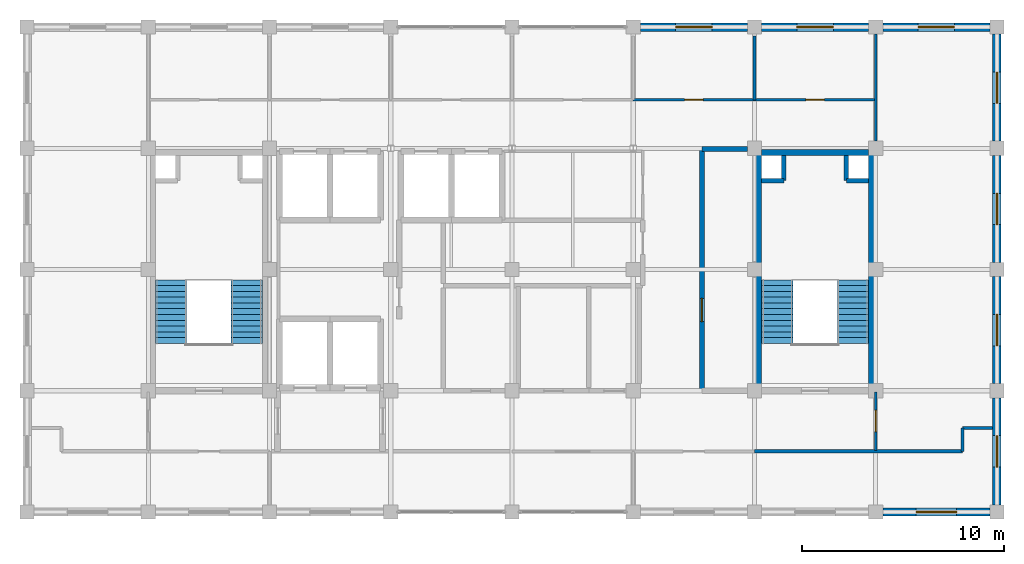
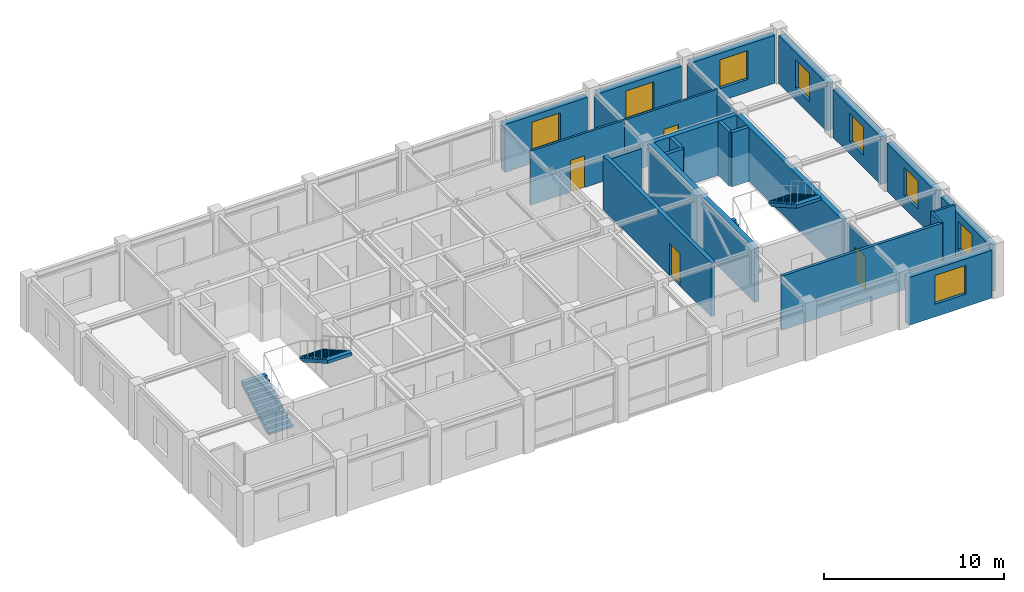
# One storey, part 10 of 11: 25 walls, 8 windows, 4 doors, 4 stair flights, 12 openings, 2 elements without a shape of their own.
"""IFC4 building model written with IfcOpenShell, lengths in metres."""

from ifc_helpers import new_model, si_unit, direction, frame, frame_2d, origin, place, context, subcontext, project, spatial, polyline, rectangle, outline, extrude, material, layer, layer_set, type_object, element, fill, aggregate, save


model = new_model("IFC4")

# Units and contexts
model_context = context("Model", 3, precision=1e-05, world=origin(), true_north=direction((0.0, 1.0)))
body_context = subcontext(model_context, "Body", "Model", "MODEL_VIEW")
ifc_project = project(units=[si_unit("LENGTHUNIT", "METRE"), si_unit("AREAUNIT", "SQUARE_METRE"), si_unit("VOLUMEUNIT", "CUBIC_METRE"), si_unit("PLANEANGLEUNIT", "RADIAN"), si_unit("MASSUNIT", "GRAM", prefix="KILO")], contexts=[model_context])

# Site, building, storey
site_placement = place(None, origin())
site = spatial("IfcSite", under=ifc_project, at=site_placement, CompositionType="ELEMENT")
building_placement = place(site_placement, origin())
building = spatial("IfcBuilding", under=site, at=building_placement, Name="Zlatovratsky Civic Hall", CompositionType="ELEMENT")
storey_placement = place(building_placement, frame((0.0, 0.0, 63.89990234375)))
storey = spatial("IfcBuildingStorey", under=building, at=storey_placement, Name="L16", CompositionType="ELEMENT", Elevation=63.89990234375)

# Wall
ifc_material_1 = material(Name="Acoustic ceramic blockwork", Category="masonry")
ifc_layer_1 = layer(ifc_material_1, 0.179931640625)
ifc_layer_set_1 = layer_set([ifc_layer_1], Name="Acoustic ceramic blockwork")
wall_type_1 = type_object("IfcWallType", Name="Wall_AcousticChamberPartition_180", PredefinedType="PARTITIONING", material=ifc_layer_set_1)
wall_1_placement = place(storey_placement, frame((96.0, 81.0, 0.0), z_axis=(0.0, 0.0, 1.0), x_axis=(1.0, 0.0, 0.0)))
element("IfcWall", 1, at=wall_1_placement, inside=storey, type_object=wall_type_1, Name="WL-6773", PredefinedType="PARTITIONING", context=body_context, shape_type="SweptSolid", body=[
    extrude(rectangle(XDim=10.300048828125, YDim=0.179931640625, at=frame_2d((5.14990234375, 0.0))), origin(), (0.0, 0.0, 1.0), 3.66015625),
])

# Wall, opening, door
ifc_layer_2 = layer(ifc_material_1, 0.260009765625)
ifc_layer_set_2 = layer_set([ifc_layer_2], Name="Acoustic ceramic blockwork")
wall_type_2 = type_object("IfcWallType", Name="Wall_ArchiveCompartment_260", PredefinedType="PARTITIONING", material=ifc_layer_set_2)
wall_2_placement = place(storey_placement, frame((93.39990234375, 84.0, 0.0), z_axis=(0.0, 0.0, 1.0), x_axis=(0.0, 1.0, 0.0)))
wall_2 = element("IfcWall", 2, at=wall_2_placement, inside=storey, type_object=wall_type_2, Name="WL-6733", PredefinedType="PARTITIONING", context=body_context, shape_type="SweptSolid", body=[
    extrude(rectangle(XDim=11.9599609375, YDim=0.260009765625, at=frame_2d((5.97998046875, 0.0))), origin(), (0.0, 0.0, 1.0), 3.66015625),
])
opening_1_placement = place(wall_2_placement, frame((3.425048828125, 0.0, 0.0)))
opening_1 = element("IfcOpeningElement", 3, at=opening_1_placement, cuts=wall_2, Name="Opening D-31", PredefinedType="OPENING", context=body_context, shape_type="SweptSolid", body=[
    extrude(rectangle(XDim=1.14990234375, YDim=2.199951171875, at=frame_2d((0.574951171875, 1.10009765625))), frame((0.0, 0.14501953125, 0.0), z_axis=(0.0, -1.0, 0.0), x_axis=(1.0, 0.0, 0.0)), (0.0, 0.0, 1.0), 0.289794921875),
])
ifc_material_2 = material(Name="Insulated painted fire-rated steel leaf", Category="steel")
door_type_1 = type_object("IfcDoorType", Name="Door_RecordsVault_1150x2200", OperationType="NOTDEFINED", PredefinedType="DOOR", material=ifc_material_2)
door_1_placement = place(opening_1_placement, origin())
door_1 = element("IfcDoor", 4, at=door_1_placement, inside=storey, type_object=door_type_1, Name="DR-5535", OperationType="SINGLE_SWING_LEFT", OverallHeight=2.199951171875, OverallWidth=1.14990234375, PredefinedType="DOOR", context=body_context, shape_type="SweptSolid", body=[
    extrude(rectangle(XDim=1.14990234375, YDim=2.199951171875, at=frame_2d((0.574951171875, 1.10009765625))), frame((0.0, 0.02490234375, 0.0), z_axis=(0.0, -1.0, 0.0), x_axis=(1.0, 0.0, 0.0)), (0.0, 0.0, 1.0), 0.050048828125),
])
fill(opening_1, door_1)

# Wall
wall_3_placement = place(storey_placement, frame((93.39990234375, 95.9599609375, 0.0), z_axis=(0.0, 0.0, 1.0), x_axis=(1.0, 0.0, 0.0)))
element("IfcWall", 5, at=wall_3_placement, inside=storey, type_object=wall_type_2, Name="WL-6735", PredefinedType="PARTITIONING", context=body_context, shape_type="SweptSolid", body=[
    extrude(rectangle(XDim=2.25, YDim=0.260009765625, at=frame_2d((1.125, 0.0))), origin(), (0.0, 0.0, 1.0), 3.369140625),
])

# Wall, opening, door
ifc_material_3 = material(Name="Fire-rated gypsum board framing", Category="gypsum")
ifc_layer_3 = layer(ifc_material_3, 0.139892578125)
ifc_layer_set_3 = layer_set([ifc_layer_3], Name="Fire-rated gypsum board framing")
wall_type_3 = type_object("IfcWallType", Name="Wall_OfficePartition_140", PredefinedType="PARTITIONING", material=ifc_layer_set_3)
wall_4_placement = place(storey_placement, frame((102.0, 81.050048828125, 0.0), z_axis=(0.0, 0.0, 1.0), x_axis=(0.0, 1.0, 0.0)))
wall_4 = element("IfcWall", 6, at=wall_4_placement, inside=storey, type_object=wall_type_3, Name="WL-6746", PredefinedType="PARTITIONING", context=body_context, shape_type="SweptSolid", body=[
    extrude(rectangle(XDim=2.89990234375, YDim=0.139892578125, at=frame_2d((1.449951171875, 0.0))), origin(), (0.0, 0.0, 1.0), 3.369140625),
])
opening_2_placement = place(wall_4_placement, frame((0.925048828125, 0.0, 0.0)))
opening_2 = element("IfcOpeningElement", 7, at=opening_2_placement, cuts=wall_4, Name="Opening D-24", PredefinedType="OPENING", context=body_context, shape_type="SweptSolid", body=[
    extrude(rectangle(XDim=1.050048828125, YDim=2.25, at=frame_2d((0.52490234375, 1.125))), frame((0.0, 0.0849609375, 0.0), z_axis=(0.0, -1.0, 0.0), x_axis=(1.0, 0.0, 0.0)), (0.0, 0.0, 1.0), 0.169677734375),
])
ifc_material_4 = material(Name="Solid oak joinery in steel frame", Category="steel")
door_type_2 = type_object("IfcDoorType", Name="Door_DirectorateOffice_1050x2250", OperationType="NOTDEFINED", PredefinedType="DOOR", material=ifc_material_4)
door_2_placement = place(opening_2_placement, origin())
door_2 = element("IfcDoor", 8, at=door_2_placement, inside=storey, type_object=door_type_2, Name="DR-5543", OperationType="SINGLE_SWING_RIGHT", OverallHeight=2.25, OverallWidth=1.050048828125, PredefinedType="DOOR", context=body_context, shape_type="SweptSolid", body=[
    extrude(rectangle(XDim=1.050048828125, YDim=2.25, at=frame_2d((0.52490234375, 1.125))), frame((0.0, 0.02490234375, 0.0), z_axis=(0.0, -1.0, 0.0), x_axis=(1.0, 0.0, 0.0)), (0.0, 0.0, 1.0), 0.050048828125),
])
fill(opening_2, door_2)

wall_5_placement = place(storey_placement, frame((90.0, 98.39990234375, 0.0), z_axis=(0.0, 0.0, 1.0), x_axis=(1.0, 0.0, 0.0)))
wall_5 = element("IfcWall", 9, at=wall_5_placement, inside=storey, type_object=wall_type_3, Name="WL-6756", PredefinedType="PARTITIONING", context=body_context, shape_type="SweptSolid", body=[
    extrude(rectangle(XDim=6.0, YDim=0.139892578125, at=frame_2d((3.0, 0.0))), origin(), (0.0, 0.0, 1.0), 3.66015625),
])
opening_3_placement = place(wall_5_placement, frame((2.5400390625, 0.0, 0.0)))
opening_3 = element("IfcOpeningElement", 10, at=opening_3_placement, cuts=wall_5, Name="Opening D-23", PredefinedType="OPENING", context=body_context, shape_type="SweptSolid", body=[
    extrude(rectangle(XDim=0.919921875, YDim=2.14990234375, at=frame_2d((0.4599609375, 1.074951171875))), frame((0.0, 0.0849609375, 0.0), z_axis=(0.0, -1.0, 0.0), x_axis=(1.0, 0.0, 0.0)), (0.0, 0.0, 1.0), 0.169677734375),
])
door_type_3 = type_object("IfcDoorType", Name="Door_OfficeStandard_920x2150", OperationType="NOTDEFINED", PredefinedType="DOOR", material=ifc_material_4)
door_3_placement = place(opening_3_placement, origin())
door_3 = element("IfcDoor", 11, at=door_3_placement, inside=storey, type_object=door_type_3, Name="DR-5553", OperationType="SINGLE_SWING_RIGHT", OverallHeight=2.14990234375, OverallWidth=0.919921875, PredefinedType="DOOR", context=body_context, shape_type="SweptSolid", body=[
    extrude(rectangle(XDim=0.919921875, YDim=2.14990234375, at=frame_2d((0.4599609375, 1.074951171875))), frame((0.0, 0.02490234375, 0.0), z_axis=(0.0, -1.0, 0.0), x_axis=(1.0, 0.0, 0.0)), (0.0, 0.0, 1.0), 0.050048828125),
])
fill(opening_3, door_3)

wall_6_placement = place(storey_placement, frame((96.0, 98.39990234375, 0.0), z_axis=(0.0, 0.0, 1.0), x_axis=(1.0, 0.0, 0.0)))
wall_6 = element("IfcWall", 12, at=wall_6_placement, inside=storey, type_object=wall_type_3, Name="WL-6757", PredefinedType="PARTITIONING", context=body_context, shape_type="SweptSolid", body=[
    extrude(rectangle(XDim=6.0, YDim=0.139892578125, at=frame_2d((3.0, 0.0))), origin(), (0.0, 0.0, 1.0), 3.66015625),
])
opening_4_placement = place(wall_6_placement, frame((2.5400390625, 0.0, 0.0)))
opening_4 = element("IfcOpeningElement", 13, at=opening_4_placement, cuts=wall_6, Name="Opening D-23", PredefinedType="OPENING", context=body_context, shape_type="SweptSolid", body=[
    extrude(rectangle(XDim=0.919921875, YDim=2.14990234375, at=frame_2d((0.4599609375, 1.074951171875))), frame((0.0, 0.0849609375, 0.0), z_axis=(0.0, -1.0, 0.0), x_axis=(1.0, 0.0, 0.0)), (0.0, 0.0, 1.0), 0.169677734375),
])
door_4_placement = place(opening_4_placement, origin())
door_4 = element("IfcDoor", 14, at=door_4_placement, inside=storey, type_object=door_type_3, Name="DR-5554", OperationType="SINGLE_SWING_RIGHT", OverallHeight=2.14990234375, OverallWidth=0.919921875, PredefinedType="DOOR", context=body_context, shape_type="SweptSolid", body=[
    extrude(rectangle(XDim=0.919921875, YDim=2.14990234375, at=frame_2d((0.4599609375, 1.074951171875))), frame((0.0, 0.02490234375, 0.0), z_axis=(0.0, -1.0, 0.0), x_axis=(1.0, 0.0, 0.0)), (0.0, 0.0, 1.0), 0.050048828125),
])
fill(opening_4, door_4)

# Walls
wall_7_placement = place(storey_placement, frame((96.0, 98.39990234375, 0.0), z_axis=(0.0, 0.0, 1.0), x_axis=(0.0, 1.0, 0.0)))
element("IfcWall", 15, at=wall_7_placement, inside=storey, type_object=wall_type_3, Name="WL-6766", PredefinedType="PARTITIONING", context=body_context, shape_type="SweptSolid", body=[
    extrude(rectangle(XDim=3.150146484375, YDim=0.139892578125, at=frame_2d((1.5751953125, 0.0))), origin(), (0.0, 0.0, 1.0), 3.369140625),
])
wall_8_placement = place(storey_placement, frame((106.300048828125, 81.0, 0.0), z_axis=(0.0, 0.0, 1.0), x_axis=(0.0, 1.0, 0.0)))
element("IfcWall", 16, at=wall_8_placement, inside=storey, type_object=wall_type_3, Name="WL-6776", PredefinedType="PARTITIONING", context=body_context, shape_type="SweptSolid", body=[
    extrude(rectangle(XDim=1.14990234375, YDim=0.139892578125, at=frame_2d((0.574951171875, 0.0))), origin(), (0.0, 0.0, 1.0), 3.66015625),
])
wall_9_placement = place(storey_placement, frame((106.300048828125, 82.14990234375, 0.0), z_axis=(0.0, 0.0, 1.0), x_axis=(1.0, 0.0, 0.0)))
element("IfcWall", 17, at=wall_9_placement, inside=storey, type_object=wall_type_3, Name="WL-6777", PredefinedType="PARTITIONING", context=body_context, shape_type="SweptSolid", body=[
    extrude(rectangle(XDim=1.489990234375, YDim=0.139892578125, at=frame_2d((0.7451171875, 0.0))), origin(), (0.0, 0.0, 1.0), 3.66015625),
])
wall_10_placement = place(storey_placement, frame((102.0, 96.35009765625, 0.0), z_axis=(0.0, 0.0, 1.0), x_axis=(0.0, 1.0, 0.0)))
element("IfcWall", 18, at=wall_10_placement, inside=storey, type_object=wall_type_3, Name="WL-6779", PredefinedType="PARTITIONING", context=body_context, shape_type="SweptSolid", body=[
    extrude(rectangle(XDim=5.2998046875, YDim=0.139892578125, at=frame_2d((2.64990234375, 0.0))), origin(), (0.0, 0.0, 1.0), 3.369140625),
])
ifc_layer_4 = layer(ifc_material_1, 0.219970703125)
ifc_layer_set_4 = layer_set([ifc_layer_4], Name="Acoustic ceramic blockwork")
wall_type_4 = type_object("IfcWallType", Name="Wall_SanitaryWetCore_220", PredefinedType="PARTITIONING", material=ifc_layer_set_4)
wall_11_placement = place(storey_placement, frame((97.449951171875, 94.39990234375, 0.0), z_axis=(0.0, 0.0, 1.0), x_axis=(0.0, 1.0, 0.0)))
element("IfcWall", 19, at=wall_11_placement, inside=storey, type_object=wall_type_4, Name="WL-5291", PredefinedType="PARTITIONING", context=body_context, shape_type="SweptSolid", body=[
    extrude(rectangle(XDim=1.25, YDim=0.219970703125, at=frame_2d((0.625, 0.0))), origin(), (0.0, 0.0, 1.0), 3.66015625),
])
wall_12_placement = place(storey_placement, frame((96.35009765625, 94.39990234375, 0.0), z_axis=(0.0, 0.0, 1.0), x_axis=(1.0, 0.0, 0.0)))
element("IfcWall", 20, at=wall_12_placement, inside=storey, type_object=wall_type_4, Name="WL-5292", PredefinedType="PARTITIONING", context=body_context, shape_type="SweptSolid", body=[
    extrude(rectangle(XDim=1.099853515625, YDim=0.219970703125, at=frame_2d((0.5498046875, 0.0))), origin(), (0.0, 0.0, 1.0), 3.66015625),
])
wall_13_placement = place(storey_placement, frame((100.550048828125, 94.39990234375, 0.0), z_axis=(0.0, 0.0, 1.0), x_axis=(0.0, 1.0, 0.0)))
element("IfcWall", 21, at=wall_13_placement, inside=storey, type_object=wall_type_4, Name="WL-5293", PredefinedType="PARTITIONING", context=body_context, shape_type="SweptSolid", body=[
    extrude(rectangle(XDim=1.25, YDim=0.219970703125, at=frame_2d((0.625, 0.0))), origin(), (0.0, 0.0, 1.0), 3.66015625),
])
wall_14_placement = place(storey_placement, frame((100.550048828125, 94.39990234375, 0.0), z_axis=(0.0, 0.0, 1.0), x_axis=(1.0, 0.0, 0.0)))
element("IfcWall", 22, at=wall_14_placement, inside=storey, type_object=wall_type_4, Name="WL-5294", PredefinedType="PARTITIONING", context=body_context, shape_type="SweptSolid", body=[
    extrude(rectangle(XDim=1.099853515625, YDim=0.219970703125, at=frame_2d((0.5498046875, 0.0))), origin(), (0.0, 0.0, 1.0), 3.66015625),
])
ifc_material_5 = material(Name="Concrete C35/45 (B40)", Category="concrete")
ifc_layer_5 = layer(ifc_material_5, 0.300048828125)
ifc_layer_set_5 = layer_set([ifc_layer_5], Name="Concrete C35/45 (B40)")
wall_type_5 = type_object("IfcWallType", Name="Wall_StairAndLiftShaft_300", PredefinedType="SHEAR", material=ifc_layer_set_5)
wall_15_placement = place(storey_placement, frame((96.35009765625, 95.800048828125, 0.0), z_axis=(0.0, 0.0, 1.0), x_axis=(1.0, 0.0, 0.0)))
element("IfcWall", 23, at=wall_15_placement, inside=storey, type_object=wall_type_5, Name="WL-5288", PredefinedType="SHEAR", context=body_context, shape_type="SweptSolid", body=[
    extrude(rectangle(XDim=5.2998046875, YDim=0.300048828125, at=frame_2d((2.64990234375, 0.0))), origin(), (0.0, 0.0, 1.0), 3.66015625),
])
for number, where, z_axis, x_axis, name in (
    (24, (96.199951171875, 84.0, 0.0), (0.0, 0.0, 1.0), (0.0, 1.0, 0.0), "WL-5289"),
    (25, (101.800048828125, 84.0, 0.0), (0.0, 0.0, 1.0), (0.0, 1.0, 0.0), "WL-5290"),
):
    element("IfcWall", number, at=place(storey_placement, frame(where, z_axis=z_axis, x_axis=x_axis)), inside=storey, type_object=wall_type_5, Name=name, PredefinedType="SHEAR", context=body_context, shape_type="SweptSolid", body=[
        extrude(rectangle(XDim=11.800048828125, YDim=0.300048828125, at=frame_2d((5.89990234375, 0.0))), origin(), (0.0, 0.0, 1.0), 3.66015625),
    ])

# Wall, opening, window
ifc_layer_6 = layer(ifc_material_1, 0.280029296875, Name="Backing")
ifc_material_6 = material(Name="Podolsk limestone ashlar", Category="masonry")
ifc_layer_7 = layer(ifc_material_6, 0.139892578125, Name="Finish")
ifc_layer_set_6 = layer_set([ifc_layer_6, ifc_layer_7], Name="Acoustic ceramic blockwork")
wall_type_6 = type_object("IfcWallType", Name="Wall_TowerLimestoneAshlar_420", PredefinedType="SOLIDWALL", material=ifc_layer_set_6)
wall_16_placement = place(storey_placement, frame((102.35009765625, 78.0, 0.0), z_axis=(0.0, 0.0, 1.0), x_axis=(1.0, 0.0, 0.0)))
wall_16 = element("IfcWall", 26, at=wall_16_placement, inside=storey, type_object=wall_type_6, Name="WL-0654", PredefinedType="SOLIDWALL", context=body_context, shape_type="SweptSolid", body=[
    extrude(rectangle(XDim=5.2998046875, YDim=0.419921875, at=frame_2d((2.64990234375, 0.0))), origin(), (0.0, 0.0, 1.0), 3.239990234375),
])
opening_5_placement = place(wall_16_placement, frame((1.64990234375, 0.0, 0.85009765625)))
opening_5 = element("IfcOpeningElement", 27, at=opening_5_placement, cuts=wall_16, Name="Opening WN-20", PredefinedType="OPENING", context=body_context, shape_type="SweptSolid", body=[
    extrude(rectangle(XDim=2.0, YDim=1.949951171875, at=frame_2d((1.0, 0.97509765625))), frame((0.0, 0.224853515625, 0.0), z_axis=(0.0, -1.0, 0.0), x_axis=(1.0, 0.0, 0.0)), (0.0, 0.0, 1.0), 0.44970703125),
])
ifc_material_7 = material(Name="Low-E laminated double glazing", Category="glass")
window_type_1 = type_object("IfcWindowType", Name="Window_TowerTier3South_2000x1950", PartitioningType="SINGLE_PANEL", PredefinedType="WINDOW", material=ifc_material_7)
window_1_placement = place(opening_5_placement, origin())
window_1 = element("IfcWindow", 28, at=window_1_placement, inside=storey, type_object=window_type_1, Name="WN-0526", OverallHeight=1.949951171875, OverallWidth=2.0, PartitioningType="SINGLE_PANEL", PredefinedType="WINDOW", context=body_context, shape_type="SweptSolid", body=[
    extrude(rectangle(XDim=2.0, YDim=1.949951171875, at=frame_2d((1.0, 0.97509765625))), frame((0.0, 0.030029296875, 0.0), z_axis=(0.0, -1.0, 0.0), x_axis=(1.0, 0.0, 0.0)), (0.0, 0.0, 1.0), 0.06005859375),
])
fill(opening_5, window_1)

wall_17_placement = place(storey_placement, frame((90.35009765625, 102.0, 0.0), z_axis=(0.0, 0.0, 1.0), x_axis=(1.0, 0.0, 0.0)))
wall_17 = element("IfcWall", 29, at=wall_17_placement, inside=storey, type_object=wall_type_6, Name="WL-0658", PredefinedType="SOLIDWALL", context=body_context, shape_type="SweptSolid", body=[
    extrude(rectangle(XDim=5.2998046875, YDim=0.419921875, at=frame_2d((2.64990234375, 0.0))), origin(), (0.0, 0.0, 1.0), 3.239990234375),
])
opening_6_placement = place(wall_17_placement, frame((1.75, 0.0, 0.85009765625)))
opening_6 = element("IfcOpeningElement", 30, at=opening_6_placement, cuts=wall_17, Name="Opening WN-21", PredefinedType="OPENING", context=body_context, shape_type="SweptSolid", body=[
    extrude(rectangle(XDim=1.800048828125, YDim=1.949951171875, at=frame_2d((0.89990234375, 0.97509765625))), frame((0.0, 0.224853515625, 0.0), z_axis=(0.0, -1.0, 0.0), x_axis=(1.0, 0.0, 0.0)), (0.0, 0.0, 1.0), 0.44970703125),
])
window_type_2 = type_object("IfcWindowType", Name="Window_TowerTier3North_1800x1950", PartitioningType="SINGLE_PANEL", PredefinedType="WINDOW", material=ifc_material_7)
window_2_placement = place(opening_6_placement, origin())
window_2 = element("IfcWindow", 31, at=window_2_placement, inside=storey, type_object=window_type_2, Name="WN-0530", OverallHeight=1.949951171875, OverallWidth=1.800048828125, PartitioningType="SINGLE_PANEL", PredefinedType="WINDOW", context=body_context, shape_type="SweptSolid", body=[
    extrude(rectangle(XDim=1.800048828125, YDim=1.949951171875, at=frame_2d((0.89990234375, 0.97509765625))), frame((0.0, 0.030029296875, 0.0), z_axis=(0.0, -1.0, 0.0), x_axis=(1.0, 0.0, 0.0)), (0.0, 0.0, 1.0), 0.06005859375),
])
fill(opening_6, window_2)

wall_18_placement = place(storey_placement, frame((96.35009765625, 102.0, 0.0), z_axis=(0.0, 0.0, 1.0), x_axis=(1.0, 0.0, 0.0)))
wall_18 = element("IfcWall", 32, at=wall_18_placement, inside=storey, type_object=wall_type_6, Name="WL-0659", PredefinedType="SOLIDWALL", context=body_context, shape_type="SweptSolid", body=[
    extrude(rectangle(XDim=5.2998046875, YDim=0.419921875, at=frame_2d((2.64990234375, 0.0))), origin(), (0.0, 0.0, 1.0), 3.239990234375),
])
opening_7_placement = place(wall_18_placement, frame((1.75, 0.0, 0.85009765625)))
opening_7 = element("IfcOpeningElement", 33, at=opening_7_placement, cuts=wall_18, Name="Opening WN-21", PredefinedType="OPENING", context=body_context, shape_type="SweptSolid", body=[
    extrude(rectangle(XDim=1.800048828125, YDim=1.949951171875, at=frame_2d((0.89990234375, 0.97509765625))), frame((0.0, 0.224853515625, 0.0), z_axis=(0.0, -1.0, 0.0), x_axis=(1.0, 0.0, 0.0)), (0.0, 0.0, 1.0), 0.44970703125),
])
window_3_placement = place(opening_7_placement, origin())
window_3 = element("IfcWindow", 34, at=window_3_placement, inside=storey, type_object=window_type_2, Name="WN-0531", OverallHeight=1.949951171875, OverallWidth=1.800048828125, PartitioningType="SINGLE_PANEL", PredefinedType="WINDOW", context=body_context, shape_type="SweptSolid", body=[
    extrude(rectangle(XDim=1.800048828125, YDim=1.949951171875, at=frame_2d((0.89990234375, 0.97509765625))), frame((0.0, 0.030029296875, 0.0), z_axis=(0.0, -1.0, 0.0), x_axis=(1.0, 0.0, 0.0)), (0.0, 0.0, 1.0), 0.06005859375),
])
fill(opening_7, window_3)

wall_19_placement = place(storey_placement, frame((102.35009765625, 102.0, 0.0), z_axis=(0.0, 0.0, 1.0), x_axis=(1.0, 0.0, 0.0)))
wall_19 = element("IfcWall", 35, at=wall_19_placement, inside=storey, type_object=wall_type_6, Name="WL-0660", PredefinedType="SOLIDWALL", context=body_context, shape_type="SweptSolid", body=[
    extrude(rectangle(XDim=5.2998046875, YDim=0.419921875, at=frame_2d((2.64990234375, 0.0))), origin(), (0.0, 0.0, 1.0), 3.239990234375),
])
opening_8_placement = place(wall_19_placement, frame((1.75, 0.0, 0.85009765625)))
opening_8 = element("IfcOpeningElement", 36, at=opening_8_placement, cuts=wall_19, Name="Opening WN-21", PredefinedType="OPENING", context=body_context, shape_type="SweptSolid", body=[
    extrude(rectangle(XDim=1.800048828125, YDim=1.949951171875, at=frame_2d((0.89990234375, 0.97509765625))), frame((0.0, 0.224853515625, 0.0), z_axis=(0.0, -1.0, 0.0), x_axis=(1.0, 0.0, 0.0)), (0.0, 0.0, 1.0), 0.44970703125),
])
window_4_placement = place(opening_8_placement, origin())
window_4 = element("IfcWindow", 37, at=window_4_placement, inside=storey, type_object=window_type_2, Name="WN-0532", OverallHeight=1.949951171875, OverallWidth=1.800048828125, PartitioningType="SINGLE_PANEL", PredefinedType="WINDOW", context=body_context, shape_type="SweptSolid", body=[
    extrude(rectangle(XDim=1.800048828125, YDim=1.949951171875, at=frame_2d((0.89990234375, 0.97509765625))), frame((0.0, 0.030029296875, 0.0), z_axis=(0.0, -1.0, 0.0), x_axis=(1.0, 0.0, 0.0)), (0.0, 0.0, 1.0), 0.06005859375),
])
fill(opening_8, window_4)

wall_20_placement = place(storey_placement, frame((108.0, 78.35009765625, 0.0), z_axis=(0.0, 0.0, 1.0), x_axis=(0.0, 1.0, 0.0)))
wall_20 = element("IfcWall", 38, at=wall_20_placement, inside=storey, type_object=wall_type_6, Name="WL-0665", PredefinedType="SOLIDWALL", context=body_context, shape_type="SweptSolid", body=[
    extrude(rectangle(XDim=5.2998046875, YDim=0.419921875, at=frame_2d((2.64990234375, 0.0))), origin(), (0.0, 0.0, 1.0), 3.239990234375),
])
opening_9_placement = place(wall_20_placement, frame((1.875, 0.0, 0.85009765625)))
opening_9 = element("IfcOpeningElement", 39, at=opening_9_placement, cuts=wall_20, Name="Opening WN-22", PredefinedType="OPENING", context=body_context, shape_type="SweptSolid", body=[
    extrude(rectangle(XDim=1.550048828125, YDim=1.89990234375, at=frame_2d((0.77490234375, 0.949951171875))), frame((0.0, 0.224853515625, 0.0), z_axis=(0.0, -1.0, 0.0), x_axis=(1.0, 0.0, 0.0)), (0.0, 0.0, 1.0), 0.44970703125),
])
window_type_3 = type_object("IfcWindowType", Name="Window_TowerTier3Flank_1550x1900", PartitioningType="SINGLE_PANEL", PredefinedType="WINDOW", material=ifc_material_7)
window_5_placement = place(opening_9_placement, origin())
window_5 = element("IfcWindow", 40, at=window_5_placement, inside=storey, type_object=window_type_3, Name="WN-0537", OverallHeight=1.89990234375, OverallWidth=1.550048828125, PartitioningType="SINGLE_PANEL", PredefinedType="WINDOW", context=body_context, shape_type="SweptSolid", body=[
    extrude(rectangle(XDim=1.550048828125, YDim=1.89990234375, at=frame_2d((0.77490234375, 0.949951171875))), frame((0.0, 0.030029296875, 0.0), z_axis=(0.0, -1.0, 0.0), x_axis=(1.0, 0.0, 0.0)), (0.0, 0.0, 1.0), 0.06005859375),
])
fill(opening_9, window_5)

wall_21_placement = place(storey_placement, frame((108.0, 84.35009765625, 0.0), z_axis=(0.0, 0.0, 1.0), x_axis=(0.0, 1.0, 0.0)))
wall_21 = element("IfcWall", 41, at=wall_21_placement, inside=storey, type_object=wall_type_6, Name="WL-0666", PredefinedType="SOLIDWALL", context=body_context, shape_type="SweptSolid", body=[
    extrude(rectangle(XDim=5.2998046875, YDim=0.419921875, at=frame_2d((2.64990234375, 0.0))), origin(), (0.0, 0.0, 1.0), 3.239990234375),
])
opening_10_placement = place(wall_21_placement, frame((1.875, 0.0, 0.85009765625)))
opening_10 = element("IfcOpeningElement", 42, at=opening_10_placement, cuts=wall_21, Name="Opening WN-22", PredefinedType="OPENING", context=body_context, shape_type="SweptSolid", body=[
    extrude(rectangle(XDim=1.550048828125, YDim=1.89990234375, at=frame_2d((0.77490234375, 0.949951171875))), frame((0.0, 0.224853515625, 0.0), z_axis=(0.0, -1.0, 0.0), x_axis=(1.0, 0.0, 0.0)), (0.0, 0.0, 1.0), 0.44970703125),
])
window_6_placement = place(opening_10_placement, origin())
window_6 = element("IfcWindow", 43, at=window_6_placement, inside=storey, type_object=window_type_3, Name="WN-0538", OverallHeight=1.89990234375, OverallWidth=1.550048828125, PartitioningType="SINGLE_PANEL", PredefinedType="WINDOW", context=body_context, shape_type="SweptSolid", body=[
    extrude(rectangle(XDim=1.550048828125, YDim=1.89990234375, at=frame_2d((0.77490234375, 0.949951171875))), frame((0.0, 0.030029296875, 0.0), z_axis=(0.0, -1.0, 0.0), x_axis=(1.0, 0.0, 0.0)), (0.0, 0.0, 1.0), 0.06005859375),
])
fill(opening_10, window_6)

wall_22_placement = place(storey_placement, frame((108.0, 90.35009765625, 0.0), z_axis=(0.0, 0.0, 1.0), x_axis=(0.0, 1.0, 0.0)))
wall_22 = element("IfcWall", 44, at=wall_22_placement, inside=storey, type_object=wall_type_6, Name="WL-0667", PredefinedType="SOLIDWALL", context=body_context, shape_type="SweptSolid", body=[
    extrude(rectangle(XDim=5.2998046875, YDim=0.419921875, at=frame_2d((2.64990234375, 0.0))), origin(), (0.0, 0.0, 1.0), 3.239990234375),
])
opening_11_placement = place(wall_22_placement, frame((1.875, 0.0, 0.85009765625)))
opening_11 = element("IfcOpeningElement", 45, at=opening_11_placement, cuts=wall_22, Name="Opening WN-22", PredefinedType="OPENING", context=body_context, shape_type="SweptSolid", body=[
    extrude(rectangle(XDim=1.550048828125, YDim=1.89990234375, at=frame_2d((0.77490234375, 0.949951171875))), frame((0.0, 0.224853515625, 0.0), z_axis=(0.0, -1.0, 0.0), x_axis=(1.0, 0.0, 0.0)), (0.0, 0.0, 1.0), 0.44970703125),
])
window_7_placement = place(opening_11_placement, origin())
window_7 = element("IfcWindow", 46, at=window_7_placement, inside=storey, type_object=window_type_3, Name="WN-0539", OverallHeight=1.89990234375, OverallWidth=1.550048828125, PartitioningType="SINGLE_PANEL", PredefinedType="WINDOW", context=body_context, shape_type="SweptSolid", body=[
    extrude(rectangle(XDim=1.550048828125, YDim=1.89990234375, at=frame_2d((0.77490234375, 0.949951171875))), frame((0.0, 0.030029296875, 0.0), z_axis=(0.0, -1.0, 0.0), x_axis=(1.0, 0.0, 0.0)), (0.0, 0.0, 1.0), 0.06005859375),
])
fill(opening_11, window_7)

wall_23_placement = place(storey_placement, frame((108.0, 96.35009765625, 0.0), z_axis=(0.0, 0.0, 1.0), x_axis=(0.0, 1.0, 0.0)))
wall_23 = element("IfcWall", 47, at=wall_23_placement, inside=storey, type_object=wall_type_6, Name="WL-0668", PredefinedType="SOLIDWALL", context=body_context, shape_type="SweptSolid", body=[
    extrude(rectangle(XDim=5.2998046875, YDim=0.419921875, at=frame_2d((2.64990234375, 0.0))), origin(), (0.0, 0.0, 1.0), 3.239990234375),
])
opening_12_placement = place(wall_23_placement, frame((1.875, 0.0, 0.85009765625)))
opening_12 = element("IfcOpeningElement", 48, at=opening_12_placement, cuts=wall_23, Name="Opening WN-22", PredefinedType="OPENING", context=body_context, shape_type="SweptSolid", body=[
    extrude(rectangle(XDim=1.550048828125, YDim=1.89990234375, at=frame_2d((0.77490234375, 0.949951171875))), frame((0.0, 0.224853515625, 0.0), z_axis=(0.0, -1.0, 0.0), x_axis=(1.0, 0.0, 0.0)), (0.0, 0.0, 1.0), 0.44970703125),
])
window_8_placement = place(opening_12_placement, origin())
window_8 = element("IfcWindow", 49, at=window_8_placement, inside=storey, type_object=window_type_3, Name="WN-0540", OverallHeight=1.89990234375, OverallWidth=1.550048828125, PartitioningType="SINGLE_PANEL", PredefinedType="WINDOW", context=body_context, shape_type="SweptSolid", body=[
    extrude(rectangle(XDim=1.550048828125, YDim=1.89990234375, at=frame_2d((0.77490234375, 0.949951171875))), frame((0.0, 0.030029296875, 0.0), z_axis=(0.0, -1.0, 0.0), x_axis=(1.0, 0.0, 0.0)), (0.0, 0.0, 1.0), 0.06005859375),
])
fill(opening_12, window_8)

# Stair, stair flights
ifc_material_8 = material(Name="Concrete C30/37 (B35)", Category="concrete")
stair_type = type_object("IfcStairType", Name="Stair_HALF_24R_1550W_04", PredefinedType="HALF_TURN_STAIR", material=ifc_material_8)
stair_1_placement = place(storey_placement, origin())
stair_1 = element("IfcStair", 50, at=stair_1_placement, inside=storey, type_object=stair_type, Name="ST-017", PredefinedType="HALF_TURN_STAIR")
stair_flight_type = type_object("IfcStairFlightType", Name="StairFlight_12R_1550W_04", PredefinedType="STRAIGHT", material=ifc_material_8)
stair_flight_1_placement = place(storey_placement, frame((67.125, 86.35009765625, 0.0), z_axis=(0.0, 0.0, 1.0), x_axis=(0.0, 1.0, 0.0)))
stair_flight_1 = element("IfcStairFlight", 51, at=stair_flight_1_placement, type_object=stair_flight_type, Name="ST-017-F1", NumberOfRisers=12, NumberOfTreads=11, PredefinedType="STRAIGHT", RiserHeight=0.1625, TreadLength=0.285, context=body_context, shape_type="SweptSolid", body=[
    extrude(outline(polyline([(0.0, 0.0), (0.0, 0.16259765625), (0.284912109375, 0.16259765625), (0.284912109375, 0.324951171875), (0.570068359375, 0.324951171875), (0.570068359375, 0.487548828125), (0.85498046875, 0.487548828125), (0.85498046875, 0.64990234375), (1.139892578125, 0.64990234375), (1.139892578125, 0.8125), (1.425048828125, 0.8125), (1.425048828125, 0.97509765625), (1.7099609375, 0.97509765625), (1.7099609375, 1.137451171875), (1.9951171875, 1.137451171875), (1.9951171875, 1.300048828125), (2.280029296875, 1.300048828125), (2.280029296875, 1.46240234375), (2.56494140625, 1.46240234375), (2.56494140625, 1.625), (2.85009765625, 1.625), (2.85009765625, 1.78759765625), (3.135009765625, 1.78759765625), (3.135009765625, 1.949951171875), (3.135009765625, 1.580322265625), (0.36328125, 0.0), (0.0, 0.0)])), frame((0.0, 0.77490234375, 0.0), z_axis=(0.0, -1.0, 0.0), x_axis=(1.0, 0.0, 0.0)), (0.0, 0.0, 1.0), 1.550048828125),
])
stair_flight_2_placement = place(storey_placement, frame((70.875, 89.485107421875, 1.9501953125), z_axis=(0.0, 0.0, 1.0), x_axis=(0.0, -1.0, 0.0)))
stair_flight_2 = element("IfcStairFlight", 52, at=stair_flight_2_placement, type_object=stair_flight_type, Name="ST-017-F2", NumberOfRisers=12, NumberOfTreads=11, PredefinedType="STRAIGHT", RiserHeight=0.1625, TreadLength=0.285, context=body_context, shape_type="SweptSolid", body=[
    extrude(outline(polyline([(0.0, 0.0), (0.0, 0.16259765625), (0.284912109375, 0.16259765625), (0.284912109375, 0.324951171875), (0.570068359375, 0.324951171875), (0.570068359375, 0.487548828125), (0.85498046875, 0.487548828125), (0.85498046875, 0.64990234375), (1.139892578125, 0.64990234375), (1.139892578125, 0.8125), (1.425048828125, 0.8125), (1.425048828125, 0.97509765625), (1.7099609375, 0.97509765625), (1.7099609375, 1.137451171875), (1.9951171875, 1.137451171875), (1.9951171875, 1.300048828125), (2.280029296875, 1.300048828125), (2.280029296875, 1.46240234375), (2.56494140625, 1.46240234375), (2.56494140625, 1.625), (2.85009765625, 1.625), (2.85009765625, 1.78759765625), (3.135009765625, 1.78759765625), (3.135009765625, 1.949951171875), (3.135009765625, 1.580322265625), (0.36328125, 0.0), (0.0, 0.0)])), frame((0.0, 0.77490234375, 0.0), z_axis=(0.0, -1.0, 0.0), x_axis=(1.0, 0.0, 0.0)), (0.0, 0.0, 1.0), 1.550048828125),
])
aggregate(stair_1, [stair_flight_1, stair_flight_2])

stair_2_placement = place(storey_placement, origin())
stair_2 = element("IfcStair", 53, at=stair_2_placement, inside=storey, type_object=stair_type, Name="ST-036", PredefinedType="HALF_TURN_STAIR")
stair_flight_3_placement = place(storey_placement, frame((97.125, 86.35009765625, 0.0), z_axis=(0.0, 0.0, 1.0), x_axis=(0.0, 1.0, 0.0)))
stair_flight_3 = element("IfcStairFlight", 54, at=stair_flight_3_placement, type_object=stair_flight_type, Name="ST-036-F1", NumberOfRisers=12, NumberOfTreads=11, PredefinedType="STRAIGHT", RiserHeight=0.1625, TreadLength=0.285, context=body_context, shape_type="SweptSolid", body=[
    extrude(outline(polyline([(0.0, 0.0), (0.0, 0.16259765625), (0.284912109375, 0.16259765625), (0.284912109375, 0.324951171875), (0.570068359375, 0.324951171875), (0.570068359375, 0.487548828125), (0.85498046875, 0.487548828125), (0.85498046875, 0.64990234375), (1.139892578125, 0.64990234375), (1.139892578125, 0.8125), (1.425048828125, 0.8125), (1.425048828125, 0.97509765625), (1.7099609375, 0.97509765625), (1.7099609375, 1.137451171875), (1.9951171875, 1.137451171875), (1.9951171875, 1.300048828125), (2.280029296875, 1.300048828125), (2.280029296875, 1.46240234375), (2.56494140625, 1.46240234375), (2.56494140625, 1.625), (2.85009765625, 1.625), (2.85009765625, 1.78759765625), (3.135009765625, 1.78759765625), (3.135009765625, 1.949951171875), (3.135009765625, 1.580322265625), (0.36328125, 0.0), (0.0, 0.0)])), frame((0.0, 0.77490234375, 0.0), z_axis=(0.0, -1.0, 0.0), x_axis=(1.0, 0.0, 0.0)), (0.0, 0.0, 1.0), 1.550048828125),
])
stair_flight_4_placement = place(storey_placement, frame((100.875, 89.485107421875, 1.9501953125), z_axis=(0.0, 0.0, 1.0), x_axis=(0.0, -1.0, 0.0)))
stair_flight_4 = element("IfcStairFlight", 55, at=stair_flight_4_placement, type_object=stair_flight_type, Name="ST-036-F2", NumberOfRisers=12, NumberOfTreads=11, PredefinedType="STRAIGHT", RiserHeight=0.1625, TreadLength=0.285, context=body_context, shape_type="SweptSolid", body=[
    extrude(outline(polyline([(0.0, 0.0), (0.0, 0.16259765625), (0.284912109375, 0.16259765625), (0.284912109375, 0.324951171875), (0.570068359375, 0.324951171875), (0.570068359375, 0.487548828125), (0.85498046875, 0.487548828125), (0.85498046875, 0.64990234375), (1.139892578125, 0.64990234375), (1.139892578125, 0.8125), (1.425048828125, 0.8125), (1.425048828125, 0.97509765625), (1.7099609375, 0.97509765625), (1.7099609375, 1.137451171875), (1.9951171875, 1.137451171875), (1.9951171875, 1.300048828125), (2.280029296875, 1.300048828125), (2.280029296875, 1.46240234375), (2.56494140625, 1.46240234375), (2.56494140625, 1.625), (2.85009765625, 1.625), (2.85009765625, 1.78759765625), (3.135009765625, 1.78759765625), (3.135009765625, 1.949951171875), (3.135009765625, 1.580322265625), (0.36328125, 0.0), (0.0, 0.0)])), frame((0.0, 0.77490234375, 0.0), z_axis=(0.0, -1.0, 0.0), x_axis=(1.0, 0.0, 0.0)), (0.0, 0.0, 1.0), 1.550048828125),
])
aggregate(stair_2, [stair_flight_3, stair_flight_4])

save(model, "model.ifc")
